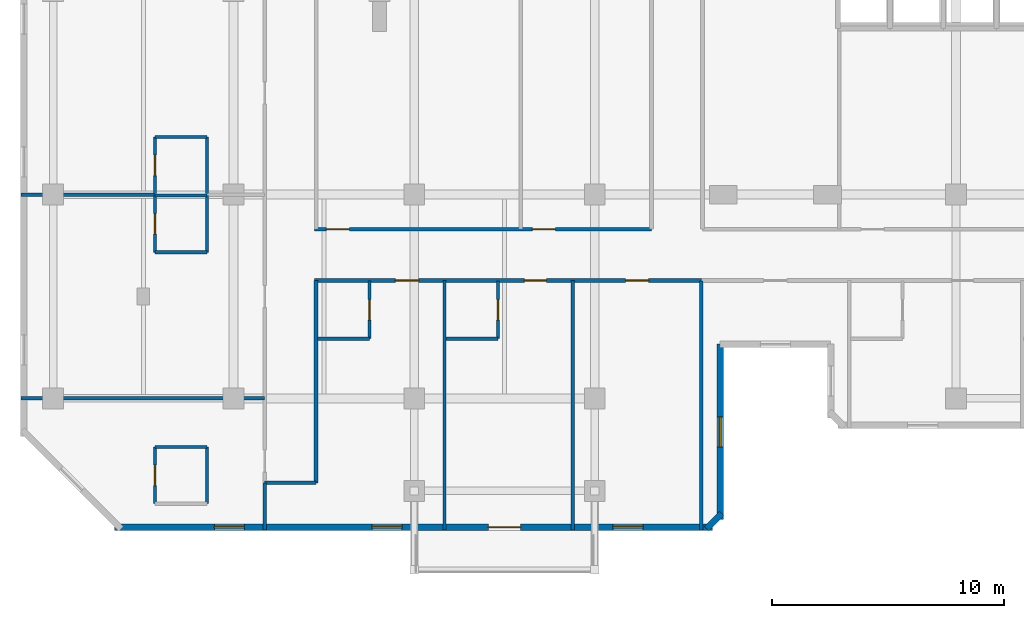
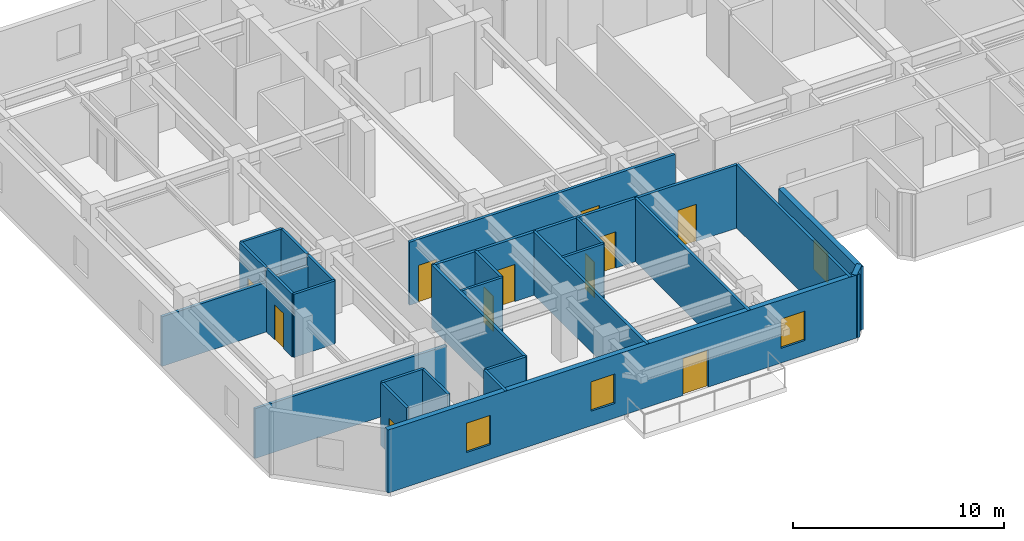
# One storey, part 4 of 11: 27 walls, 11 doors, 4 windows, 15 openings.
"""IFC4 building model written with IfcOpenShell, lengths in metres."""

from ifc_helpers import new_model, si_unit, direction, frame, frame_2d, origin, place, context, subcontext, project, spatial, rectangle, extrude, material, layer, layer_set, type_object, element, fill, save


model = new_model("IFC4")

# Units and contexts
model_context = context("Model", 3, precision=1e-05, world=origin(), true_north=direction((0.0, 1.0)))
body_context = subcontext(model_context, "Body", "Model", "MODEL_VIEW")
ifc_project = project(units=[si_unit("LENGTHUNIT", "METRE"), si_unit("AREAUNIT", "SQUARE_METRE"), si_unit("VOLUMEUNIT", "CUBIC_METRE"), si_unit("PLANEANGLEUNIT", "RADIAN"), si_unit("MASSUNIT", "GRAM", prefix="KILO")], contexts=[model_context])

# Site, building, storey
site_placement = place(None, origin())
site = spatial("IfcSite", under=ifc_project, at=site_placement, CompositionType="ELEMENT")
building_placement = place(site_placement, origin())
building = spatial("IfcBuilding", under=site, at=building_placement, Name="Kestravale Grand Hotel", CompositionType="ELEMENT")
storey_placement = place(building_placement, frame((0.0, 0.0, 200.699951171875)))
storey = spatial("IfcBuildingStorey", under=building, at=storey_placement, Name="L50", CompositionType="ELEMENT", Elevation=200.699951171875)

# Wall, openings, door, windows
ifc_material_1 = material(Name="Precast concrete f'c 45 MPa", Category="concrete")
ifc_layer_1 = layer(ifc_material_1, 0.280029296875)
ifc_layer_set_1 = layer_set([ifc_layer_1], Name="EW-PREC-280")
wall_type_1 = type_object("IfcWallType", Name="EW-PREC-280", PredefinedType="SOLIDWALL", material=ifc_layer_set_1)
wall_1_placement = place(storey_placement, frame((10.4599609375, 5.639892578125, 0.0), z_axis=(0.0, 0.0, 1.0), x_axis=(1.0, 0.0, 0.0)))
wall_1 = element("IfcWall", 1, at=wall_1_placement, inside=storey, type_object=wall_type_1, Name="L50 fluted precast facade wall 1", PredefinedType="SOLIDWALL", context=body_context, shape_type="SweptSolid", body=[
    extrude(rectangle(XDim=25.830078125, YDim=0.280029296875, at=frame_2d((12.9150390625, 0.0))), origin(), (0.0, 0.0, 1.0), 3.650146484375),
])
opening_1_placement = place(wall_1_placement, frame((16.139892578125, 0.0, 0.0)))
opening_1 = element("IfcOpeningElement", 2, at=opening_1_placement, cuts=wall_1, Name="Opening D-TERR-1400", PredefinedType="OPENING", context=body_context, shape_type="SweptSolid", body=[
    extrude(rectangle(XDim=1.39990234375, YDim=2.14990234375, at=frame_2d((0.699951171875, 1.074951171875))), frame((0.0, 0.14990234375, 0.0), z_axis=(0.0, -1.0, 0.0), x_axis=(1.0, 0.0, 0.0)), (0.0, 0.0, 1.0), 0.300048828125),
])
opening_2_placement = place(wall_1_placement, frame((4.304931640625, 0.0, 0.85009765625)))
opening_2 = element("IfcOpeningElement", 3, at=opening_2_placement, cuts=wall_1, Name="Opening W-GUEST-1300", PredefinedType="OPENING", context=body_context, shape_type="SweptSolid", body=[
    extrude(rectangle(XDim=1.300048828125, YDim=1.699951171875, at=frame_2d((0.64990234375, 0.85009765625))), frame((0.0, 0.14990234375, 0.0), z_axis=(0.0, -1.0, 0.0), x_axis=(1.0, 0.0, 0.0)), (0.0, 0.0, 1.0), 0.300048828125),
])
opening_3_placement = place(wall_1_placement, frame((11.114990234375, 0.0, 0.85009765625)))
opening_3 = element("IfcOpeningElement", 4, at=opening_3_placement, cuts=wall_1, Name="Opening W-GUEST-1300", PredefinedType="OPENING", context=body_context, shape_type="SweptSolid", body=[
    extrude(rectangle(XDim=1.300048828125, YDim=1.699951171875, at=frame_2d((0.64990234375, 0.85009765625))), frame((0.0, 0.14990234375, 0.0), z_axis=(0.0, -1.0, 0.0), x_axis=(1.0, 0.0, 0.0)), (0.0, 0.0, 1.0), 0.300048828125),
])
opening_4_placement = place(wall_1_placement, frame((21.52490234375, 0.0, 0.85009765625)))
opening_4 = element("IfcOpeningElement", 5, at=opening_4_placement, cuts=wall_1, Name="Opening W-GUEST-1300", PredefinedType="OPENING", context=body_context, shape_type="SweptSolid", body=[
    extrude(rectangle(XDim=1.300048828125, YDim=1.699951171875, at=frame_2d((0.64990234375, 0.85009765625))), frame((0.0, 0.14990234375, 0.0), z_axis=(0.0, -1.0, 0.0), x_axis=(1.0, 0.0, 0.0)), (0.0, 0.0, 1.0), 0.300048828125),
])
ifc_material_2 = material(Name="Insulated glazed champagne-bronze aluminium door", Category="aluminium")
door_type_1 = type_object("IfcDoorType", Name="D-TERR-1400", OperationType="NOTDEFINED", PredefinedType="DOOR", material=ifc_material_2)
door_1_placement = place(opening_1_placement, origin())
door_1 = element("IfcDoor", 6, at=door_1_placement, inside=storey, type_object=door_type_1, Name="L50 outdoor garden terrace door", OperationType="DOUBLE_DOOR_SINGLE_SWING", OverallHeight=2.14990234375, OverallWidth=1.39990234375, PredefinedType="DOOR", context=body_context, shape_type="SweptSolid", body=[
    extrude(rectangle(XDim=1.39990234375, YDim=2.14990234375, at=frame_2d((0.699951171875, 1.074951171875))), frame((0.0, 0.02490234375, 0.0), z_axis=(0.0, -1.0, 0.0), x_axis=(1.0, 0.0, 0.0)), (0.0, 0.0, 1.0), 0.050048828125),
])
fill(opening_1, door_1)
ifc_material_3 = material(Name="Insulated low-E double glazing in aluminium frame", Category="aluminium")
window_type = type_object("IfcWindowType", Name="W-GUEST-1300", PartitioningType="SINGLE_PANEL", PredefinedType="WINDOW", material=ifc_material_3)
window_1_placement = place(opening_2_placement, origin())
window_1 = element("IfcWindow", 7, at=window_1_placement, inside=storey, type_object=window_type, Name="L50 exterior window 1.1", OverallHeight=1.699951171875, OverallWidth=1.300048828125, PartitioningType="SINGLE_PANEL", PredefinedType="WINDOW", context=body_context, shape_type="SweptSolid", body=[
    extrude(rectangle(XDim=1.300048828125, YDim=1.699951171875, at=frame_2d((0.64990234375, 0.85009765625))), frame((0.0, 0.030029296875, 0.0), z_axis=(0.0, -1.0, 0.0), x_axis=(1.0, 0.0, 0.0)), (0.0, 0.0, 1.0), 0.06005859375),
])
fill(opening_2, window_1)
window_2_placement = place(opening_3_placement, origin())
window_2 = element("IfcWindow", 8, at=window_2_placement, inside=storey, type_object=window_type, Name="L50 exterior window 1.2", OverallHeight=1.699951171875, OverallWidth=1.300048828125, PartitioningType="SINGLE_PANEL", PredefinedType="WINDOW", context=body_context, shape_type="SweptSolid", body=[
    extrude(rectangle(XDim=1.300048828125, YDim=1.699951171875, at=frame_2d((0.64990234375, 0.85009765625))), frame((0.0, 0.030029296875, 0.0), z_axis=(0.0, -1.0, 0.0), x_axis=(1.0, 0.0, 0.0)), (0.0, 0.0, 1.0), 0.06005859375),
])
fill(opening_3, window_2)
window_3_placement = place(opening_4_placement, origin())
window_3 = element("IfcWindow", 9, at=window_3_placement, inside=storey, type_object=window_type, Name="L50 exterior window 1.3", OverallHeight=1.699951171875, OverallWidth=1.300048828125, PartitioningType="SINGLE_PANEL", PredefinedType="WINDOW", context=body_context, shape_type="SweptSolid", body=[
    extrude(rectangle(XDim=1.300048828125, YDim=1.699951171875, at=frame_2d((0.64990234375, 0.85009765625))), frame((0.0, 0.030029296875, 0.0), z_axis=(0.0, -1.0, 0.0), x_axis=(1.0, 0.0, 0.0)), (0.0, 0.0, 1.0), 0.06005859375),
])
fill(opening_4, window_3)

# Wall
wall_2_placement = place(storey_placement, frame((36.022705078125, 5.57080078125, 0.0), z_axis=(0.0, 0.0, 1.0), x_axis=(0.707106781187, 0.707106781187, 0.0)))
element("IfcWall", 10, at=wall_2_placement, inside=storey, type_object=wall_type_1, Name="L50 fluted precast facade wall 2", PredefinedType="SOLIDWALL", context=body_context, shape_type="SweptSolid", body=[
    extrude(rectangle(XDim=0.928466796875, YDim=0.280029296875, at=frame_2d((0.46435546875, 0.0))), origin(), (0.0, 0.0, 1.0), 3.650146484375),
])

# Wall, opening, window
wall_3_placement = place(storey_placement, frame((36.610107421875, 5.9599609375, 0.0), z_axis=(0.0, 0.0, 1.0), x_axis=(0.0, 1.0, 0.0)))
wall_3 = element("IfcWall", 11, at=wall_3_placement, inside=storey, type_object=wall_type_1, Name="L50 fluted precast facade wall 3", PredefinedType="SOLIDWALL", context=body_context, shape_type="SweptSolid", body=[
    extrude(rectangle(XDim=7.580078125, YDim=0.280029296875, at=frame_2d((3.7900390625, 0.0))), origin(), (0.0, 0.0, 1.0), 3.650146484375),
])
opening_5_placement = place(wall_3_placement, frame((3.139892578125, 0.0, 0.85009765625)))
opening_5 = element("IfcOpeningElement", 12, at=opening_5_placement, cuts=wall_3, Name="Opening W-GUEST-1300", PredefinedType="OPENING", context=body_context, shape_type="SweptSolid", body=[
    extrude(rectangle(XDim=1.300048828125, YDim=1.699951171875, at=frame_2d((0.64990234375, 0.85009765625))), frame((0.0, 0.14990234375, 0.0), z_axis=(0.0, -1.0, 0.0), x_axis=(1.0, 0.0, 0.0)), (0.0, 0.0, 1.0), 0.300048828125),
])
window_4_placement = place(opening_5_placement, origin())
window_4 = element("IfcWindow", 13, at=window_4_placement, inside=storey, type_object=window_type, Name="L50 exterior window 3.1", OverallHeight=1.699951171875, OverallWidth=1.300048828125, PartitioningType="SINGLE_PANEL", PredefinedType="WINDOW", context=body_context, shape_type="SweptSolid", body=[
    extrude(rectangle(XDim=1.300048828125, YDim=1.699951171875, at=frame_2d((0.64990234375, 0.85009765625))), frame((0.0, 0.030029296875, 0.0), z_axis=(0.0, -1.0, 0.0), x_axis=(1.0, 0.0, 0.0)), (0.0, 0.0, 1.0), 0.06005859375),
])
fill(opening_5, window_4)

# Wall, openings, doors
ifc_material_4 = material(Name="Acoustic fire-rated gypsum board partition", Category="other")
ifc_layer_2 = layer(ifc_material_4, 0.159912109375)
ifc_layer_set_2 = layer_set([ifc_layer_2], Name="IW-CORR-160")
wall_type_2 = type_object("IfcWallType", Name="IW-CORR-160", PredefinedType="PARTITIONING", material=ifc_layer_set_2)
wall_4_placement = place(storey_placement, frame((19.10009765625, 18.510009765625, 0.0), z_axis=(0.0, 0.0, 1.0), x_axis=(1.0, 0.0, 0.0)))
wall_4 = element("IfcWall", 14, at=wall_4_placement, inside=storey, type_object=wall_type_2, Name="W-L50-CW-N", PredefinedType="PARTITIONING", context=body_context, shape_type="SweptSolid", body=[
    extrude(rectangle(XDim=14.5498046875, YDim=0.159912109375, at=frame_2d((7.27490234375, 0.0))), origin(), (0.0, 0.0, 1.0), 3.650146484375),
])
opening_6_placement = place(wall_4_placement, frame((0.5, 0.0, 0.0)))
opening_6 = element("IfcOpeningElement", 15, at=opening_6_placement, cuts=wall_4, Name="Opening D-GUEST-1000", PredefinedType="OPENING", context=body_context, shape_type="SweptSolid", body=[
    extrude(rectangle(XDim=1.0, YDim=2.14990234375, at=frame_2d((0.5, 1.074951171875))), frame((0.0, 0.08984375, 0.0), z_axis=(0.0, -1.0, 0.0), x_axis=(1.0, 0.0, 0.0)), (0.0, 0.0, 1.0), 0.179931640625),
])
opening_7_placement = place(wall_4_placement, frame((9.39990234375, 0.0, 0.0)))
opening_7 = element("IfcOpeningElement", 16, at=opening_7_placement, cuts=wall_4, Name="Opening D-GUEST-1000", PredefinedType="OPENING", context=body_context, shape_type="SweptSolid", body=[
    extrude(rectangle(XDim=1.0, YDim=2.14990234375, at=frame_2d((0.5, 1.074951171875))), frame((0.0, 0.08984375, 0.0), z_axis=(0.0, -1.0, 0.0), x_axis=(1.0, 0.0, 0.0)), (0.0, 0.0, 1.0), 0.179931640625),
])
ifc_material_5 = material(Name="Accessible walnut veneer hotel entrance fire door", Category="wood")
door_type_2 = type_object("IfcDoorType", Name="D-GUEST-1000", OperationType="NOTDEFINED", PredefinedType="DOOR", material=ifc_material_5)
door_2_placement = place(opening_6_placement, origin())
door_2 = element("IfcDoor", 17, at=door_2_placement, inside=storey, type_object=door_type_2, Name="D-L50-RECL-W1", OperationType="SINGLE_SWING_LEFT", OverallHeight=2.14990234375, OverallWidth=1.0, PredefinedType="DOOR", context=body_context, shape_type="SweptSolid", body=[
    extrude(rectangle(XDim=1.0, YDim=2.14990234375, at=frame_2d((0.5, 1.074951171875))), frame((0.0, 0.02490234375, 0.0), z_axis=(0.0, -1.0, 0.0), x_axis=(1.0, 0.0, 0.0)), (0.0, 0.0, 1.0), 0.050048828125),
])
fill(opening_6, door_2)
door_3_placement = place(opening_7_placement, origin())
door_3 = element("IfcDoor", 18, at=door_3_placement, inside=storey, type_object=door_type_2, Name="D-L50-RECL-W2", OperationType="SINGLE_SWING_RIGHT", OverallHeight=2.14990234375, OverallWidth=1.0, PredefinedType="DOOR", context=body_context, shape_type="SweptSolid", body=[
    extrude(rectangle(XDim=1.0, YDim=2.14990234375, at=frame_2d((0.5, 1.074951171875))), frame((0.0, 0.02490234375, 0.0), z_axis=(0.0, -1.0, 0.0), x_axis=(1.0, 0.0, 0.0)), (0.0, 0.0, 1.0), 0.050048828125),
])
fill(opening_7, door_3)

wall_5_placement = place(storey_placement, frame((19.10009765625, 16.2900390625, 0.0), z_axis=(0.0, 0.0, 1.0), x_axis=(1.0, 0.0, 0.0)))
wall_5 = element("IfcWall", 19, at=wall_5_placement, inside=storey, type_object=wall_type_2, Name="W-L50-CW-S", PredefinedType="PARTITIONING", context=body_context, shape_type="SweptSolid", body=[
    extrude(rectangle(XDim=16.699951171875, YDim=0.159912109375, at=frame_2d((8.35009765625, 0.0))), origin(), (0.0, 0.0, 1.0), 3.650146484375),
])
opening_8_placement = place(wall_5_placement, frame((3.48828125, 0.0, 0.0)))
opening_8 = element("IfcOpeningElement", 20, at=opening_8_placement, cuts=wall_5, Name="Opening D-GUEST-1000", PredefinedType="OPENING", context=body_context, shape_type="SweptSolid", body=[
    extrude(rectangle(XDim=1.0, YDim=2.14990234375, at=frame_2d((0.5, 1.074951171875))), frame((0.0, 0.08984375, 0.0), z_axis=(0.0, -1.0, 0.0), x_axis=(1.0, 0.0, 0.0)), (0.0, 0.0, 1.0), 0.179931640625),
])
opening_9_placement = place(wall_5_placement, frame((9.06005859375, 0.0, 0.0)))
opening_9 = element("IfcOpeningElement", 21, at=opening_9_placement, cuts=wall_5, Name="Opening D-GUEST-950", PredefinedType="OPENING", context=body_context, shape_type="SweptSolid", body=[
    extrude(rectangle(XDim=0.949951171875, YDim=2.10009765625, at=frame_2d((0.47509765625, 1.050048828125))), frame((0.0, 0.08984375, 0.0), z_axis=(0.0, -1.0, 0.0), x_axis=(1.0, 0.0, 0.0)), (0.0, 0.0, 1.0), 0.179931640625),
])
opening_10_placement = place(wall_5_placement, frame((13.426513671875, 0.0, 0.0)))
opening_10 = element("IfcOpeningElement", 22, at=opening_10_placement, cuts=wall_5, Name="Opening D-GUEST-1000", PredefinedType="OPENING", context=body_context, shape_type="SweptSolid", body=[
    extrude(rectangle(XDim=1.0, YDim=2.14990234375, at=frame_2d((0.5, 1.074951171875))), frame((0.0, 0.08984375, 0.0), z_axis=(0.0, -1.0, 0.0), x_axis=(1.0, 0.0, 0.0)), (0.0, 0.0, 1.0), 0.179931640625),
])
door_4_placement = place(opening_8_placement, origin())
door_4 = element("IfcDoor", 23, at=door_4_placement, inside=storey, type_object=door_type_2, Name="D-L50-U01-ENT", OperationType="SINGLE_SWING_RIGHT", OverallHeight=2.14990234375, OverallWidth=1.0, PredefinedType="DOOR", context=body_context, shape_type="SweptSolid", body=[
    extrude(rectangle(XDim=1.0, YDim=2.14990234375, at=frame_2d((0.5, 1.074951171875))), frame((0.0, 0.02490234375, 0.0), z_axis=(0.0, -1.0, 0.0), x_axis=(1.0, 0.0, 0.0)), (0.0, 0.0, 1.0), 0.050048828125),
])
fill(opening_8, door_4)
door_5_placement = place(opening_10_placement, origin())
door_5 = element("IfcDoor", 24, at=door_5_placement, inside=storey, type_object=door_type_2, Name="D-L50-AMW", OperationType="SINGLE_SWING_LEFT", OverallHeight=2.14990234375, OverallWidth=1.0, PredefinedType="DOOR", context=body_context, shape_type="SweptSolid", body=[
    extrude(rectangle(XDim=1.0, YDim=2.14990234375, at=frame_2d((0.5, 1.074951171875))), frame((0.0, 0.02490234375, 0.0), z_axis=(0.0, -1.0, 0.0), x_axis=(1.0, 0.0, 0.0)), (0.0, 0.0, 1.0), 0.050048828125),
])
fill(opening_10, door_5)
ifc_material_6 = material(Name="Walnut veneer hotel guestroom entrance fire door", Category="wood")
door_type_3 = type_object("IfcDoorType", Name="D-GUEST-950", OperationType="NOTDEFINED", PredefinedType="DOOR", material=ifc_material_6)
door_6_placement = place(opening_9_placement, origin())
door_6 = element("IfcDoor", 25, at=door_6_placement, inside=storey, type_object=door_type_3, Name="D-L50-U02-ENT", OperationType="SINGLE_SWING_RIGHT", OverallHeight=2.10009765625, OverallWidth=0.949951171875, PredefinedType="DOOR", context=body_context, shape_type="SweptSolid", body=[
    extrude(rectangle(XDim=0.949951171875, YDim=2.10009765625, at=frame_2d((0.47509765625, 1.050048828125))), frame((0.0, 0.02490234375, 0.0), z_axis=(0.0, -1.0, 0.0), x_axis=(1.0, 0.0, 0.0)), (0.0, 0.0, 1.0), 0.050048828125),
])
fill(opening_9, door_6)

# Wall
wall_6_placement = place(storey_placement, frame((19.159912109375, 7.550048828125, 0.0), z_axis=(0.0, 0.0, 1.0), x_axis=(0.0, 1.0, 0.0)))
element("IfcWall", 26, at=wall_6_placement, inside=storey, type_object=wall_type_2, Name="W-L50-SW-E", PredefinedType="PARTITIONING", context=body_context, shape_type="SweptSolid", body=[
    extrude(rectangle(XDim=8.739990234375, YDim=0.159912109375, at=frame_2d((4.3701171875, 0.0))), origin(), (0.0, 0.0, 1.0), 3.650146484375),
])

# Wall, opening, door
ifc_material_7 = material(Name="Moisture-resistant tile-backer plumbing chase wall", Category="other")
ifc_layer_3 = layer(ifc_material_7, 0.139892578125)
ifc_layer_set_3 = layer_set([ifc_layer_3], Name="IW-PLB-140")
wall_type_3 = type_object("IfcWallType", Name="IW-PLB-140", PredefinedType="PLUMBINGWALL", material=ifc_layer_set_3)
wall_7_placement = place(storey_placement, frame((21.469970703125, 13.780029296875, 0.0), z_axis=(0.0, 0.0, 1.0), x_axis=(0.0, 1.0, 0.0)))
wall_7 = element("IfcWall", 27, at=wall_7_placement, inside=storey, type_object=wall_type_3, Name="W-L50-U01-BE", PredefinedType="PLUMBINGWALL", context=body_context, shape_type="SweptSolid", body=[
    extrude(rectangle(XDim=2.489990234375, YDim=0.139892578125, at=frame_2d((1.2451171875, 0.0))), origin(), (0.0, 0.0, 1.0), 3.650146484375),
])
opening_11_placement = place(wall_7_placement, frame((0.804931640625, 0.0, 0.0)))
opening_11 = element("IfcOpeningElement", 28, at=opening_11_placement, cuts=wall_7, Name="Opening D-BATH-880", PredefinedType="OPENING", context=body_context, shape_type="SweptSolid", body=[
    extrude(rectangle(XDim=0.8798828125, YDim=2.050048828125, at=frame_2d((0.43994140625, 1.02490234375))), frame((0.0, 0.079833984375, 0.0), z_axis=(0.0, -1.0, 0.0), x_axis=(1.0, 0.0, 0.0)), (0.0, 0.0, 1.0), 0.159912109375),
])
ifc_material_8 = material(Name="Moisture-sealed walnut en-suite bathroom door", Category="wood")
door_type_4 = type_object("IfcDoorType", Name="D-BATH-880", OperationType="NOTDEFINED", PredefinedType="DOOR", material=ifc_material_8)
door_7_placement = place(opening_11_placement, origin())
door_7 = element("IfcDoor", 29, at=door_7_placement, inside=storey, type_object=door_type_4, Name="D-L50-U01-BATH", OperationType="SINGLE_SWING_LEFT", OverallHeight=2.050048828125, OverallWidth=0.8798828125, PredefinedType="DOOR", context=body_context, shape_type="SweptSolid", body=[
    extrude(rectangle(XDim=0.8798828125, YDim=2.050048828125, at=frame_2d((0.43994140625, 1.02490234375))), frame((0.0, 0.02490234375, 0.0), z_axis=(0.0, -1.0, 0.0), x_axis=(1.0, 0.0, 0.0)), (0.0, 0.0, 1.0), 0.050048828125),
])
fill(opening_11, door_7)

# Wall
wall_8_placement = place(storey_placement, frame((19.219970703125, 13.780029296875, 0.0), z_axis=(0.0, 0.0, 1.0), x_axis=(1.0, 0.0, 0.0)))
element("IfcWall", 30, at=wall_8_placement, inside=storey, type_object=wall_type_3, Name="W-L50-U01-BS", PredefinedType="PLUMBINGWALL", context=body_context, shape_type="SweptSolid", body=[
    extrude(rectangle(XDim=2.25, YDim=0.139892578125, at=frame_2d((1.125, 0.0))), origin(), (0.0, 0.0, 1.0), 3.650146484375),
])

# Wall, opening, door
wall_9_placement = place(storey_placement, frame((27.0166015625, 13.780029296875, 0.0), z_axis=(0.0, 0.0, 1.0), x_axis=(0.0, 1.0, 0.0)))
wall_9 = element("IfcWall", 31, at=wall_9_placement, inside=storey, type_object=wall_type_3, Name="W-L50-U02-BE", PredefinedType="PLUMBINGWALL", context=body_context, shape_type="SweptSolid", body=[
    extrude(rectangle(XDim=2.489990234375, YDim=0.139892578125, at=frame_2d((1.2451171875, 0.0))), origin(), (0.0, 0.0, 1.0), 3.650146484375),
])
opening_12_placement = place(wall_9_placement, frame((0.804931640625, 0.0, 0.0)))
opening_12 = element("IfcOpeningElement", 32, at=opening_12_placement, cuts=wall_9, Name="Opening D-BATH-880", PredefinedType="OPENING", context=body_context, shape_type="SweptSolid", body=[
    extrude(rectangle(XDim=0.8798828125, YDim=2.050048828125, at=frame_2d((0.43994140625, 1.02490234375))), frame((0.0, 0.079833984375, 0.0), z_axis=(0.0, -1.0, 0.0), x_axis=(1.0, 0.0, 0.0)), (0.0, 0.0, 1.0), 0.159912109375),
])
door_8_placement = place(opening_12_placement, origin())
door_8 = element("IfcDoor", 33, at=door_8_placement, inside=storey, type_object=door_type_4, Name="D-L50-U02-BATH", OperationType="SINGLE_SWING_LEFT", OverallHeight=2.050048828125, OverallWidth=0.8798828125, PredefinedType="DOOR", context=body_context, shape_type="SweptSolid", body=[
    extrude(rectangle(XDim=0.8798828125, YDim=2.050048828125, at=frame_2d((0.43994140625, 1.02490234375))), frame((0.0, 0.02490234375, 0.0), z_axis=(0.0, -1.0, 0.0), x_axis=(1.0, 0.0, 0.0)), (0.0, 0.0, 1.0), 0.050048828125),
])
fill(opening_12, door_8)

# Wall
wall_10_placement = place(storey_placement, frame((24.7666015625, 13.780029296875, 0.0), z_axis=(0.0, 0.0, 1.0), x_axis=(1.0, 0.0, 0.0)))
element("IfcWall", 34, at=wall_10_placement, inside=storey, type_object=wall_type_3, Name="W-L50-U02-BS", PredefinedType="PLUMBINGWALL", context=body_context, shape_type="SweptSolid", body=[
    extrude(rectangle(XDim=2.25, YDim=0.139892578125, at=frame_2d((1.125, 0.0))), origin(), (0.0, 0.0, 1.0), 3.650146484375),
])

# Wall, opening, door
wall_11_placement = place(storey_placement, frame((12.199951171875, 6.64990234375, 0.0), z_axis=(0.0, 0.0, 1.0), x_axis=(0.0, 1.0, 0.0)))
wall_11 = element("IfcWall", 35, at=wall_11_placement, inside=storey, type_object=wall_type_3, Name="W-L50-U05-BW", PredefinedType="PLUMBINGWALL", context=body_context, shape_type="SweptSolid", body=[
    extrude(rectangle(XDim=2.4501953125, YDim=0.139892578125, at=frame_2d((1.22509765625, 0.0))), origin(), (0.0, 0.0, 1.0), 3.650146484375),
])
opening_13_placement = place(wall_11_placement, frame((0.784912109375, 0.0, 0.0)))
opening_13 = element("IfcOpeningElement", 36, at=opening_13_placement, cuts=wall_11, Name="Opening D-BATH-880", PredefinedType="OPENING", context=body_context, shape_type="SweptSolid", body=[
    extrude(rectangle(XDim=0.8798828125, YDim=2.050048828125, at=frame_2d((0.43994140625, 1.02490234375))), frame((0.0, 0.079833984375, 0.0), z_axis=(0.0, -1.0, 0.0), x_axis=(1.0, 0.0, 0.0)), (0.0, 0.0, 1.0), 0.159912109375),
])
door_9_placement = place(opening_13_placement, origin())
door_9 = element("IfcDoor", 37, at=door_9_placement, inside=storey, type_object=door_type_4, Name="D-L50-U05-BATH", OperationType="SINGLE_SWING_LEFT", OverallHeight=2.050048828125, OverallWidth=0.8798828125, PredefinedType="DOOR", context=body_context, shape_type="SweptSolid", body=[
    extrude(rectangle(XDim=0.8798828125, YDim=2.050048828125, at=frame_2d((0.43994140625, 1.02490234375))), frame((0.0, 0.02490234375, 0.0), z_axis=(0.0, -1.0, 0.0), x_axis=(1.0, 0.0, 0.0)), (0.0, 0.0, 1.0), 0.050048828125),
])
fill(opening_13, door_9)

# Walls
wall_12_placement = place(storey_placement, frame((14.449951171875, 6.64990234375, 0.0), z_axis=(0.0, 0.0, 1.0), x_axis=(0.0, 1.0, 0.0)))
element("IfcWall", 38, at=wall_12_placement, inside=storey, type_object=wall_type_3, Name="W-L50-U05-BE", PredefinedType="PLUMBINGWALL", context=body_context, shape_type="SweptSolid", body=[
    extrude(rectangle(XDim=2.4501953125, YDim=0.139892578125, at=frame_2d((1.22509765625, 0.0))), origin(), (0.0, 0.0, 1.0), 3.650146484375),
])
wall_13_placement = place(storey_placement, frame((12.199951171875, 9.10009765625, 0.0), z_axis=(0.0, 0.0, 1.0), x_axis=(1.0, 0.0, 0.0)))
element("IfcWall", 39, at=wall_13_placement, inside=storey, type_object=wall_type_3, Name="W-L50-U05-BN", PredefinedType="PLUMBINGWALL", context=body_context, shape_type="SweptSolid", body=[
    extrude(rectangle(XDim=2.25, YDim=0.139892578125, at=frame_2d((1.125, 0.0))), origin(), (0.0, 0.0, 1.0), 3.650146484375),
])

# Wall, opening, door
wall_14_placement = place(storey_placement, frame((12.199951171875, 17.510009765625, 0.0), z_axis=(0.0, 0.0, 1.0), x_axis=(0.0, 1.0, 0.0)))
wall_14 = element("IfcWall", 40, at=wall_14_placement, inside=storey, type_object=wall_type_3, Name="W-L50-U06-BW", PredefinedType="PLUMBINGWALL", context=body_context, shape_type="SweptSolid", body=[
    extrude(rectangle(XDim=2.449951171875, YDim=0.139892578125, at=frame_2d((1.22509765625, 0.0))), origin(), (0.0, 0.0, 1.0), 3.650146484375),
])
opening_14_placement = place(wall_14_placement, frame((0.784912109375, 0.0, 0.0)))
opening_14 = element("IfcOpeningElement", 41, at=opening_14_placement, cuts=wall_14, Name="Opening D-BATH-880", PredefinedType="OPENING", context=body_context, shape_type="SweptSolid", body=[
    extrude(rectangle(XDim=0.8798828125, YDim=2.050048828125, at=frame_2d((0.43994140625, 1.02490234375))), frame((0.0, 0.079833984375, 0.0), z_axis=(0.0, -1.0, 0.0), x_axis=(1.0, 0.0, 0.0)), (0.0, 0.0, 1.0), 0.159912109375),
])
door_10_placement = place(opening_14_placement, origin())
door_10 = element("IfcDoor", 42, at=door_10_placement, inside=storey, type_object=door_type_4, Name="D-L50-U06-BATH", OperationType="SINGLE_SWING_LEFT", OverallHeight=2.050048828125, OverallWidth=0.8798828125, PredefinedType="DOOR", context=body_context, shape_type="SweptSolid", body=[
    extrude(rectangle(XDim=0.8798828125, YDim=2.050048828125, at=frame_2d((0.43994140625, 1.02490234375))), frame((0.0, 0.02490234375, 0.0), z_axis=(0.0, -1.0, 0.0), x_axis=(1.0, 0.0, 0.0)), (0.0, 0.0, 1.0), 0.050048828125),
])
fill(opening_14, door_10)

# Walls
wall_15_placement = place(storey_placement, frame((14.449951171875, 17.510009765625, 0.0), z_axis=(0.0, 0.0, 1.0), x_axis=(0.0, 1.0, 0.0)))
element("IfcWall", 43, at=wall_15_placement, inside=storey, type_object=wall_type_3, Name="W-L50-U06-BE", PredefinedType="PLUMBINGWALL", context=body_context, shape_type="SweptSolid", body=[
    extrude(rectangle(XDim=2.449951171875, YDim=0.139892578125, at=frame_2d((1.22509765625, 0.0))), origin(), (0.0, 0.0, 1.0), 3.650146484375),
])
wall_16_placement = place(storey_placement, frame((12.199951171875, 17.510009765625, 0.0), z_axis=(0.0, 0.0, 1.0), x_axis=(1.0, 0.0, 0.0)))
element("IfcWall", 44, at=wall_16_placement, inside=storey, type_object=wall_type_3, Name="W-L50-U06-BS", PredefinedType="PLUMBINGWALL", context=body_context, shape_type="SweptSolid", body=[
    extrude(rectangle(XDim=2.25, YDim=0.139892578125, at=frame_2d((1.125, 0.0))), origin(), (0.0, 0.0, 1.0), 3.650146484375),
])
wall_17_placement = place(storey_placement, frame((12.199951171875, 19.9599609375, 0.0), z_axis=(0.0, 0.0, 1.0), x_axis=(1.0, 0.0, 0.0)))
element("IfcWall", 45, at=wall_17_placement, inside=storey, type_object=wall_type_3, Name="W-L50-U06-BN", PredefinedType="PLUMBINGWALL", context=body_context, shape_type="SweptSolid", body=[
    extrude(rectangle(XDim=2.25, YDim=0.139892578125, at=frame_2d((1.125, 0.0))), origin(), (0.0, 0.0, 1.0), 3.0380859375),
])

# Wall, opening, door
wall_18_placement = place(storey_placement, frame((12.199951171875, 20.0400390625, 0.0), z_axis=(0.0, 0.0, 1.0), x_axis=(0.0, 1.0, 0.0)))
wall_18 = element("IfcWall", 46, at=wall_18_placement, inside=storey, type_object=wall_type_3, Name="W-L50-U07-BW", PredefinedType="PLUMBINGWALL", context=body_context, shape_type="SweptSolid", body=[
    extrude(rectangle(XDim=2.449951171875, YDim=0.139892578125, at=frame_2d((1.22509765625, 0.0))), origin(), (0.0, 0.0, 1.0), 3.650146484375),
])
opening_15_placement = place(wall_18_placement, frame((0.784912109375, 0.0, 0.0)))
opening_15 = element("IfcOpeningElement", 47, at=opening_15_placement, cuts=wall_18, Name="Opening D-BATH-880", PredefinedType="OPENING", context=body_context, shape_type="SweptSolid", body=[
    extrude(rectangle(XDim=0.8798828125, YDim=2.050048828125, at=frame_2d((0.43994140625, 1.02490234375))), frame((0.0, 0.079833984375, 0.0), z_axis=(0.0, -1.0, 0.0), x_axis=(1.0, 0.0, 0.0)), (0.0, 0.0, 1.0), 0.159912109375),
])
door_11_placement = place(opening_15_placement, origin())
door_11 = element("IfcDoor", 48, at=door_11_placement, inside=storey, type_object=door_type_4, Name="D-L50-U07-BATH", OperationType="SINGLE_SWING_LEFT", OverallHeight=2.050048828125, OverallWidth=0.8798828125, PredefinedType="DOOR", context=body_context, shape_type="SweptSolid", body=[
    extrude(rectangle(XDim=0.8798828125, YDim=2.050048828125, at=frame_2d((0.43994140625, 1.02490234375))), frame((0.0, 0.02490234375, 0.0), z_axis=(0.0, -1.0, 0.0), x_axis=(1.0, 0.0, 0.0)), (0.0, 0.0, 1.0), 0.050048828125),
])
fill(opening_15, door_11)

# Walls
wall_19_placement = place(storey_placement, frame((14.449951171875, 20.0400390625, 0.0), z_axis=(0.0, 0.0, 1.0), x_axis=(0.0, 1.0, 0.0)))
element("IfcWall", 49, at=wall_19_placement, inside=storey, type_object=wall_type_3, Name="W-L50-U07-BE", PredefinedType="PLUMBINGWALL", context=body_context, shape_type="SweptSolid", body=[
    extrude(rectangle(XDim=2.449951171875, YDim=0.139892578125, at=frame_2d((1.22509765625, 0.0))), origin(), (0.0, 0.0, 1.0), 3.650146484375),
])
wall_20_placement = place(storey_placement, frame((12.199951171875, 22.489990234375, 0.0), z_axis=(0.0, 0.0, 1.0), x_axis=(1.0, 0.0, 0.0)))
element("IfcWall", 50, at=wall_20_placement, inside=storey, type_object=wall_type_3, Name="W-L50-U07-BN", PredefinedType="PLUMBINGWALL", context=body_context, shape_type="SweptSolid", body=[
    extrude(rectangle(XDim=2.25, YDim=0.139892578125, at=frame_2d((1.125, 0.0))), origin(), (0.0, 0.0, 1.0), 3.650146484375),
])
ifc_material_9 = material(Name="Double-stud STC 52 acoustic demising partition", Category="other")
ifc_layer_4 = layer(ifc_material_9, 0.14990234375)
ifc_layer_set_4 = layer_set([ifc_layer_4], Name="IW-UNIT-150")
wall_type_4 = type_object("IfcWallType", Name="IW-UNIT-150", PredefinedType="PARTITIONING", material=ifc_layer_set_4)
wall_21_placement = place(storey_placement, frame((16.93994140625, 7.550048828125, 0.0), z_axis=(0.0, 0.0, 1.0), x_axis=(1.0, 0.0, 0.0)))
element("IfcWall", 51, at=wall_21_placement, inside=storey, type_object=wall_type_4, Name="W-L50-SW-S", PredefinedType="PARTITIONING", context=body_context, shape_type="SweptSolid", body=[
    extrude(rectangle(XDim=2.219970703125, YDim=0.14990234375, at=frame_2d((1.10986328125, 0.0))), origin(), (0.0, 0.0, 1.0), 3.650146484375),
])
for number, where, z_axis, x_axis, name in (
    (52, (24.706787109375, 5.52001953125, 0.0), (0.0, 0.0, 1.0), (0.0, 1.0, 0.0), "W-L50-WS-1"),
    (53, (30.25341796875, 5.52001953125, 0.0), (0.0, 0.0, 1.0), (0.0, 1.0, 0.0), "W-L50-WS-2"),
):
    element("IfcWall", number, at=place(storey_placement, frame(where, z_axis=z_axis, x_axis=x_axis)), inside=storey, type_object=wall_type_4, Name=name, PredefinedType="PARTITIONING", context=body_context, shape_type="SweptSolid", body=[
        extrude(rectangle(XDim=10.77001953125, YDim=0.14990234375, at=frame_2d((5.385009765625, 0.0))), origin(), (0.0, 0.0, 1.0), 3.650146484375),
    ])
wall_22_placement = place(storey_placement, frame((35.800048828125, 5.52001953125, 0.0), z_axis=(0.0, 0.0, 1.0), x_axis=(0.0, 1.0, 0.0)))
element("IfcWall", 54, at=wall_22_placement, inside=storey, type_object=wall_type_4, Name="W-L50-MID-S", PredefinedType="PARTITIONING", context=body_context, shape_type="SweptSolid", body=[
    extrude(rectangle(XDim=10.75, YDim=0.14990234375, at=frame_2d((5.375, 0.0))), origin(), (0.0, 0.0, 1.0), 3.650146484375),
])
wall_23_placement = place(storey_placement, frame((16.93994140625, 5.52001953125, 0.0), z_axis=(0.0, 0.0, 1.0), x_axis=(0.0, 1.0, 0.0)))
element("IfcWall", 55, at=wall_23_placement, inside=storey, type_object=wall_type_4, Name="W-L50-SW-EXT", PredefinedType="PARTITIONING", context=body_context, shape_type="SweptSolid", body=[
    extrude(rectangle(XDim=2.030029296875, YDim=0.14990234375, at=frame_2d((1.01513671875, 0.0))), origin(), (0.0, 0.0, 1.0), 3.650146484375),
])
wall_24_placement = place(storey_placement, frame((6.419921875, 11.199951171875, 0.0), z_axis=(0.0, 0.0, 1.0), x_axis=(1.0, 0.0, 0.0)))
element("IfcWall", 56, at=wall_24_placement, inside=storey, type_object=wall_type_4, Name="W-L50-WW-1", PredefinedType="PARTITIONING", context=body_context, shape_type="SweptSolid", body=[
    extrude(rectangle(XDim=10.52001953125, YDim=0.14990234375, at=frame_2d((5.260009765625, 0.0))), origin(), (0.0, 0.0, 1.0), 2.8779296875),
])
wall_25_placement = place(storey_placement, frame((6.419921875, 20.0, 0.0), z_axis=(0.0, 0.0, 1.0), x_axis=(1.0, 0.0, 0.0)))
element("IfcWall", 57, at=wall_25_placement, inside=storey, type_object=wall_type_4, Name="W-L50-WW-2", PredefinedType="PARTITIONING", context=body_context, shape_type="SweptSolid", body=[
    extrude(rectangle(XDim=5.780029296875, YDim=0.14990234375, at=frame_2d((2.89013671875, 0.0))), origin(), (0.0, 0.0, 1.0), 2.8779296875),
])

save(model, "model.ifc")
